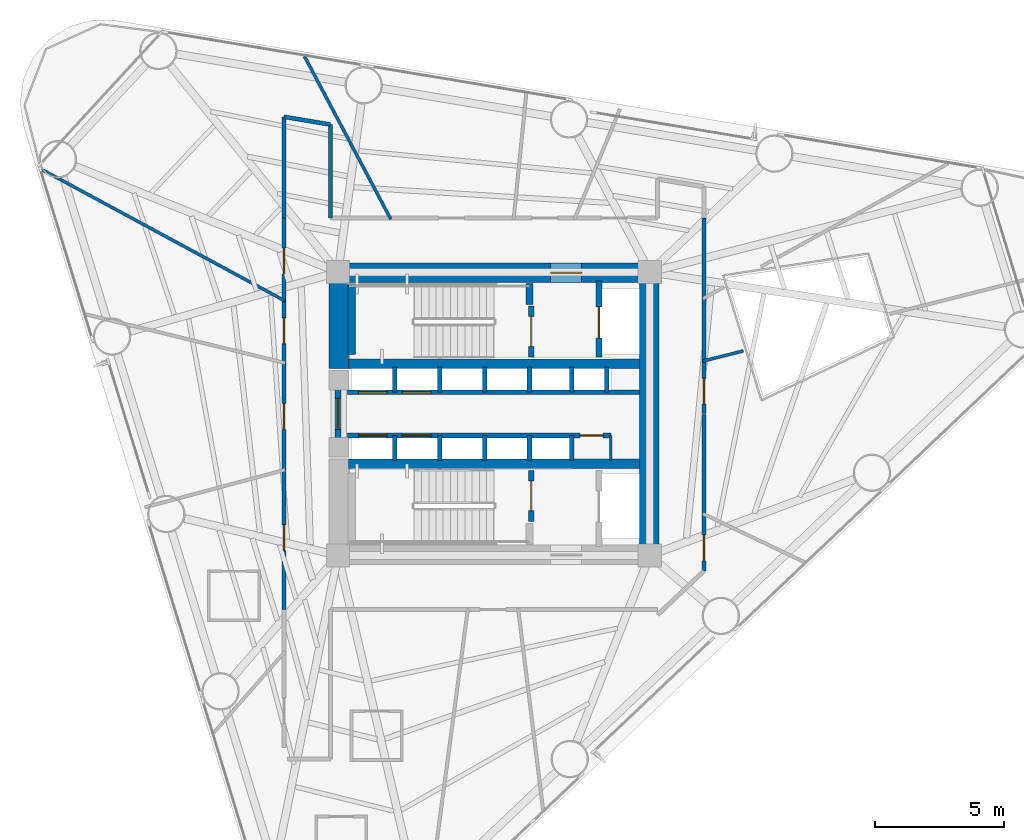
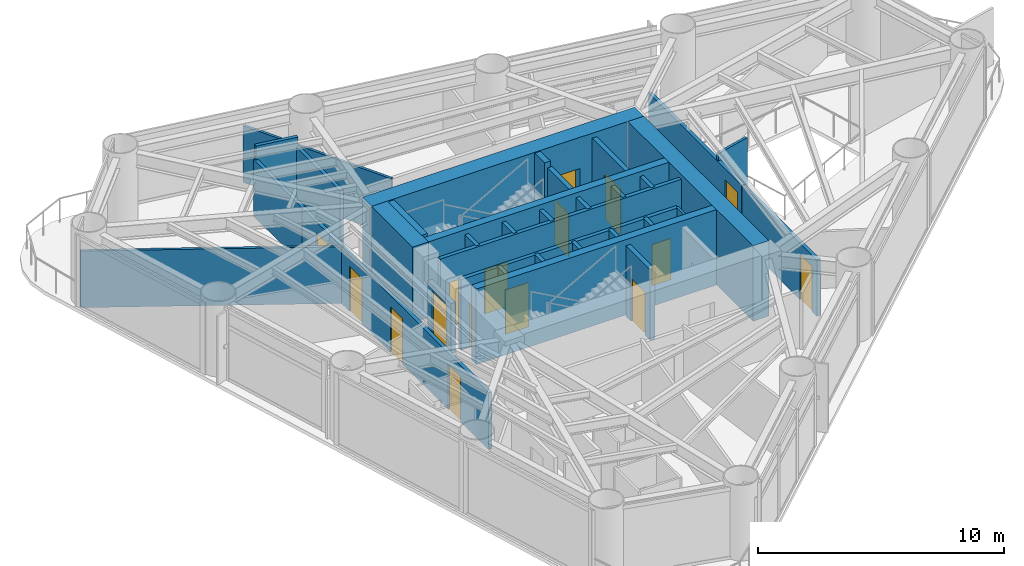
# One storey, part 6 of 10: 34 walls, 16 doors, 16 openings.
"""IFC4 building model written with IfcOpenShell, lengths in metres."""

from ifc_helpers import new_model, si_unit, direction, frame, frame_2d, origin, place, context, subcontext, project, spatial, rectangle, extrude, material, layer, layer_set, type_object, element, fill, save


model = new_model("IFC4")

# Units and contexts
model_context = context("Model", 3, precision=1e-05, world=origin(), true_north=direction((0.0, 1.0)))
body_context = subcontext(model_context, "Body", "Model", "MODEL_VIEW")
ifc_project = project(units=[si_unit("LENGTHUNIT", "METRE"), si_unit("AREAUNIT", "SQUARE_METRE"), si_unit("VOLUMEUNIT", "CUBIC_METRE"), si_unit("PLANEANGLEUNIT", "RADIAN"), si_unit("MASSUNIT", "GRAM", prefix="KILO")], contexts=[model_context])

# Site, building, storey
site_placement = place(None, origin())
site = spatial("IfcSite", under=ifc_project, at=site_placement, CompositionType="ELEMENT")
building_placement = place(site_placement, origin())
building = spatial("IfcBuilding", under=site, at=building_placement, Name="Yunling Apex Tower", CompositionType="ELEMENT")
storey_placement = place(building_placement, frame((0.0, 0.0, 116.14990234375)))
storey = spatial("IfcBuildingStorey", under=building, at=storey_placement, Name="L29", CompositionType="ELEMENT", Elevation=116.14990234375)

# Wall, opening, door
ifc_material_1 = material(Name="Concrete C60", Category="concrete")
ifc_layer_1 = layer(ifc_material_1, 0.75)
ifc_layer_set_1 = layer_set([ifc_layer_1], Name="Concrete C60")
wall_type_1 = type_object("IfcWallType", Name="WL-COR-1", PredefinedType="SHEAR", material=ifc_layer_set_1)
wall_1_placement = place(storey_placement, frame((-6.39990234375, 5.47509765625, 0.0), z_axis=(0.0, 0.0, 1.0), x_axis=(1.0, 0.0, 0.0)))
wall_1 = element("IfcWall", 1, at=wall_1_placement, inside=storey, type_object=wall_type_1, Name="L29 North Core Shear Wall", PredefinedType="SHEAR", context=body_context, shape_type="SweptSolid", body=[
    extrude(rectangle(XDim=12.7998046875, YDim=0.75, at=frame_2d((6.39990234375, 0.0))), origin(), (0.0, 0.0, 1.0), 3.75),
])
opening_1_placement = place(wall_1_placement, frame((8.60009765625, 0.0, 0.0)))
opening_1 = element("IfcOpeningElement", 2, at=opening_1_placement, cuts=wall_1, Name="Opening DR-FFL-1", PredefinedType="OPENING", context=body_context, shape_type="SweptSolid", body=[
    extrude(rectangle(XDim=1.199951171875, YDim=2.199951171875, at=frame_2d((0.60009765625, 1.10009765625))), frame((0.0, 0.385009765625, 0.0), z_axis=(0.0, -1.0, 0.0), x_axis=(1.0, 0.0, 0.0)), (0.0, 0.0, 1.0), 0.77001953125),
])
ifc_material_2 = material(Name="Steel Q355B", Category="steel")
door_type_1 = type_object("IfcDoorType", Name="DR-FFL-1", OperationType="NOTDEFINED", PredefinedType="DOOR", material=ifc_material_2)
door_1_placement = place(opening_1_placement, origin())
door_1 = element("IfcDoor", 3, at=door_1_placement, inside=storey, type_object=door_type_1, Name="L29 North Firefighting Lobby Door", OperationType="SINGLE_SWING_LEFT", OverallHeight=2.199951171875, OverallWidth=1.199951171875, PredefinedType="DOOR", context=body_context, shape_type="SweptSolid", body=[
    extrude(rectangle(XDim=1.199951171875, YDim=2.199951171875, at=frame_2d((0.60009765625, 1.10009765625))), frame((0.0, 0.02490234375, 0.0), z_axis=(0.0, -1.0, 0.0), x_axis=(1.0, 0.0, 0.0)), (0.0, 0.0, 1.0), 0.050048828125),
])
fill(opening_1, door_1)

# Walls
wall_2_placement = place(storey_placement, frame((6.02490234375, -5.10009765625, 0.0), z_axis=(0.0, 0.0, 1.0), x_axis=(0.0, 1.0, 0.0)))
element("IfcWall", 4, at=wall_2_placement, inside=storey, type_object=wall_type_1, Name="L29 East Core Shear Wall", PredefinedType="SHEAR", context=body_context, shape_type="SweptSolid", body=[
    extrude(rectangle(XDim=10.2001953125, YDim=0.75, at=frame_2d((5.10009765625, 0.0))), origin(), (0.0, 0.0, 1.0), 3.75),
])
wall_3_placement = place(storey_placement, frame((-6.02490234375, 1.75, 0.0), z_axis=(0.0, 0.0, 1.0), x_axis=(0.0, 1.0, 0.0)))
element("IfcWall", 5, at=wall_3_placement, inside=storey, type_object=wall_type_1, Name="L29 West-North Core Shear Wall", PredefinedType="SHEAR", context=body_context, shape_type="SweptSolid", body=[
    extrude(rectangle(XDim=3.35009765625, YDim=0.75, at=frame_2d((1.675048828125, 0.0))), origin(), (0.0, 0.0, 1.0), 3.75),
])
ifc_material_3 = material(Name="Concrete C40", Category="concrete")
ifc_layer_2 = layer(ifc_material_3, 0.360107421875)
ifc_layer_set_2 = layer_set([ifc_layer_2], Name="Concrete C40")
wall_type_2 = type_object("IfcWallType", Name="WL-COR-4", PredefinedType="SHEAR", material=ifc_layer_set_2)
for number, where, z_axis, x_axis, name in (
    (6, (-5.64990234375, 1.93994140625, 0.0), (0.0, 0.0, 1.0), (1.0, 0.0, 0.0), "L29 North Internal Core Shear Wall"),
    (7, (-5.64990234375, -1.93994140625, 0.0), (0.0, 0.0, 1.0), (1.0, 0.0, 0.0), "L29 South Internal Core Shear Wall"),
):
    element("IfcWall", number, at=place(storey_placement, frame(where, z_axis=z_axis, x_axis=x_axis)), inside=storey, type_object=wall_type_2, Name=name, PredefinedType="SHEAR", context=body_context, shape_type="SweptSolid", body=[
        extrude(rectangle(XDim=11.2998046875, YDim=0.360107421875, at=frame_2d((5.64990234375, 0.0))), origin(), (0.0, 0.0, 1.0), 3.75),
    ])
ifc_layer_3 = layer(ifc_material_3, 0.280029296875)
ifc_layer_set_3 = layer_set([ifc_layer_3], Name="Concrete C40")
wall_type_3 = type_object("IfcWallType", Name="WL-COR-8", PredefinedType="SHEAR", material=ifc_layer_set_3)
wall_4_placement = place(storey_placement, frame((-5.52001953125, 2.300048828125, 0.0), z_axis=(0.0, 0.0, 1.0), x_axis=(0.0, 1.0, 0.0)))
element("IfcWall", 8, at=wall_4_placement, inside=storey, type_object=wall_type_3, Name="L29 ST-1 West Landing Bearing Wall", PredefinedType="SHEAR", context=body_context, shape_type="SweptSolid", body=[
    extrude(rectangle(XDim=2.75, YDim=0.280029296875, at=frame_2d((1.375, 0.0))), origin(), (0.0, 0.0, 1.0), 3.75),
])
wall_5_placement = place(storey_placement, frame((1.3798828125, 4.25, 0.0), z_axis=(0.0, 0.0, 1.0), x_axis=(0.0, 1.0, 0.0)))
element("IfcWall", 9, at=wall_5_placement, inside=storey, type_object=wall_type_3, Name="L29 ST-1 East Landing Bearing Pier", PredefinedType="SHEAR", context=body_context, shape_type="SweptSolid", body=[
    extrude(rectangle(XDim=0.800048828125, YDim=0.280029296875, at=frame_2d((0.39990234375, 0.0))), origin(), (0.0, 0.0, 1.0), 3.75),
])

# Wall, openings, doors
ifc_material_4 = material(Name="Gypsum board acoustic partition")
ifc_layer_4 = layer(ifc_material_4, 0.159912109375)
ifc_layer_set_4 = layer_set([ifc_layer_4], Name="Gypsum board acoustic partition")
wall_type_4 = type_object("IfcWallType", Name="WL-PRT-1", PredefinedType="PARTITIONING", material=ifc_layer_set_4)
wall_6_placement = place(storey_placement, frame((-8.14990234375, -7.60009765625, 0.0), z_axis=(0.0, 0.0, 1.0), x_axis=(0.0, 1.0, 0.0)))
wall_6 = element("IfcWall", 10, at=wall_6_placement, inside=storey, type_object=wall_type_4, Name="WL-CORR-L29-03", PredefinedType="PARTITIONING", context=body_context, shape_type="SweptSolid", body=[
    extrude(rectangle(XDim=15.2001953125, YDim=0.159912109375, at=frame_2d((7.60009765625, 0.0))), origin(), (0.0, 0.0, 1.0), 2.815185546875),
])
opening_2_placement = place(wall_6_placement, frame((2.2900390625, 0.0, 0.0)))
opening_2 = element("IfcOpeningElement", 11, at=opening_2_placement, cuts=wall_6, Name="Opening DR-OFF-1", PredefinedType="OPENING", context=body_context, shape_type="SweptSolid", body=[
    extrude(rectangle(XDim=1.0, YDim=2.25, at=frame_2d((0.5, 1.125))), frame((0.0, 0.08984375, 0.0), z_axis=(0.0, -1.0, 0.0), x_axis=(1.0, 0.0, 0.0)), (0.0, 0.0, 1.0), 0.179931640625),
])
opening_3_placement = place(wall_6_placement, frame((7.000244140625, 0.0, 0.0)))
opening_3 = element("IfcOpeningElement", 12, at=opening_3_placement, cuts=wall_6, Name="Opening DR-OFF-1", PredefinedType="OPENING", context=body_context, shape_type="SweptSolid", body=[
    extrude(rectangle(XDim=1.0, YDim=2.25, at=frame_2d((0.5, 1.125))), frame((0.0, 0.08984375, 0.0), z_axis=(0.0, -1.0, 0.0), x_axis=(1.0, 0.0, 0.0)), (0.0, 0.0, 1.0), 0.179931640625),
])
opening_4_placement = place(wall_6_placement, frame((10.3251953125, 0.0, 0.0)))
opening_4 = element("IfcOpeningElement", 13, at=opening_4_placement, cuts=wall_6, Name="Opening DR-OFF-1", PredefinedType="OPENING", context=body_context, shape_type="SweptSolid", body=[
    extrude(rectangle(XDim=1.0, YDim=2.25, at=frame_2d((0.5, 1.125))), frame((0.0, 0.08984375, 0.0), z_axis=(0.0, -1.0, 0.0), x_axis=(1.0, 0.0, 0.0)), (0.0, 0.0, 1.0), 0.179931640625),
])
opening_5_placement = place(wall_6_placement, frame((13.034912109375, 0.0, 0.0)))
opening_5 = element("IfcOpeningElement", 14, at=opening_5_placement, cuts=wall_6, Name="Opening DR-OFF-1", PredefinedType="OPENING", context=body_context, shape_type="SweptSolid", body=[
    extrude(rectangle(XDim=1.0, YDim=2.25, at=frame_2d((0.5, 1.125))), frame((0.0, 0.08984375, 0.0), z_axis=(0.0, -1.0, 0.0), x_axis=(1.0, 0.0, 0.0)), (0.0, 0.0, 1.0), 0.179931640625),
])
ifc_material_5 = material(Name="Bronze anodised aluminium", Category="aluminium")
door_type_2 = type_object("IfcDoorType", Name="DR-OFF-1", OperationType="NOTDEFINED", PredefinedType="DOOR", material=ifc_material_5)
door_2_placement = place(opening_2_placement, origin())
door_2 = element("IfcDoor", 15, at=door_2_placement, inside=storey, type_object=door_type_2, Name="L29 Office Suite Door", OperationType="SINGLE_SWING_RIGHT", OverallHeight=2.25, OverallWidth=1.0, PredefinedType="DOOR", context=body_context, shape_type="SweptSolid", body=[
    extrude(rectangle(XDim=1.0, YDim=2.25, at=frame_2d((0.5, 1.125))), frame((0.0, 0.02490234375, 0.0), z_axis=(0.0, -1.0, 0.0), x_axis=(1.0, 0.0, 0.0)), (0.0, 0.0, 1.0), 0.050048828125),
])
fill(opening_2, door_2)
door_3_placement = place(opening_3_placement, origin())
door_3 = element("IfcDoor", 16, at=door_3_placement, inside=storey, type_object=door_type_2, Name="L29 Conference Meeting Room Door", OperationType="SINGLE_SWING_LEFT", OverallHeight=2.25, OverallWidth=1.0, PredefinedType="DOOR", context=body_context, shape_type="SweptSolid", body=[
    extrude(rectangle(XDim=1.0, YDim=2.25, at=frame_2d((0.5, 1.125))), frame((0.0, 0.02490234375, 0.0), z_axis=(0.0, -1.0, 0.0), x_axis=(1.0, 0.0, 0.0)), (0.0, 0.0, 1.0), 0.050048828125),
])
fill(opening_3, door_3)
door_4_placement = place(opening_4_placement, origin())
door_4 = element("IfcDoor", 17, at=door_4_placement, inside=storey, type_object=door_type_2, Name="L29 Document Archive Store Door", OperationType="SINGLE_SWING_RIGHT", OverallHeight=2.25, OverallWidth=1.0, PredefinedType="DOOR", context=body_context, shape_type="SweptSolid", body=[
    extrude(rectangle(XDim=1.0, YDim=2.25, at=frame_2d((0.5, 1.125))), frame((0.0, 0.02490234375, 0.0), z_axis=(0.0, -1.0, 0.0), x_axis=(1.0, 0.0, 0.0)), (0.0, 0.0, 1.0), 0.050048828125),
])
fill(opening_4, door_4)
door_5_placement = place(opening_5_placement, origin())
door_5 = element("IfcDoor", 18, at=door_5_placement, inside=storey, type_object=door_type_2, Name="L29 Document Archive Store Door", OperationType="SINGLE_SWING_LEFT", OverallHeight=2.25, OverallWidth=1.0, PredefinedType="DOOR", context=body_context, shape_type="SweptSolid", body=[
    extrude(rectangle(XDim=1.0, YDim=2.25, at=frame_2d((0.5, 1.125))), frame((0.0, 0.02490234375, 0.0), z_axis=(0.0, -1.0, 0.0), x_axis=(1.0, 0.0, 0.0)), (0.0, 0.0, 1.0), 0.050048828125),
])
fill(opening_5, door_5)

# Walls
wall_7_placement = place(storey_placement, frame((-8.14990234375, 7.60009765625, 0.0), z_axis=(0.0, 0.0, 1.0), x_axis=(0.0, 1.0, 0.0)))
element("IfcWall", 19, at=wall_7_placement, inside=storey, type_object=wall_type_4, Name="WL-CORR-L29-04", PredefinedType="PARTITIONING", context=body_context, shape_type="SweptSolid", body=[
    extrude(rectangle(XDim=3.928955078125, YDim=0.159912109375, at=frame_2d((1.96435546875, 0.0))), origin(), (0.0, 0.0, 1.0), 2.815185546875),
])
wall_8_placement = place(storey_placement, frame((-8.14990234375, 11.529052734375, 0.0), z_axis=(0.0, 0.0, 1.0), x_axis=(0.986408385389, -0.164312194419, 0.0)))
element("IfcWall", 20, at=wall_8_placement, inside=storey, type_object=wall_type_4, Name="WL-CORR-L29-05", PredefinedType="PARTITIONING", context=body_context, shape_type="SweptSolid", body=[
    extrude(rectangle(XDim=1.82470703125, YDim=0.159912109375, at=frame_2d((0.912353515625, 0.0))), origin(), (0.0, 0.0, 1.0), 3.510009765625),
])
wall_9_placement = place(storey_placement, frame((-6.35009765625, 11.229248046875, 0.0), z_axis=(0.0, 0.0, 1.0), x_axis=(0.0, -1.0, 0.0)))
element("IfcWall", 21, at=wall_9_placement, inside=storey, type_object=wall_type_4, Name="WL-CORR-L29-06", PredefinedType="PARTITIONING", context=body_context, shape_type="SweptSolid", body=[
    extrude(rectangle(XDim=3.629150390625, YDim=0.159912109375, at=frame_2d((1.814453125, 0.0))), origin(), (0.0, 0.0, 1.0), 3.01513671875),
])

# Wall, opening, door
wall_10_placement = place(storey_placement, frame((8.14990234375, 7.60009765625, 0.0), z_axis=(0.0, 0.0, 1.0), x_axis=(0.0, -1.0, 0.0)))
wall_10 = element("IfcWall", 22, at=wall_10_placement, inside=storey, type_object=wall_type_4, Name="WL-CORR-L29-11", PredefinedType="PARTITIONING", context=body_context, shape_type="SweptSolid", body=[
    extrude(rectangle(XDim=7.580078125, YDim=0.159912109375, at=frame_2d((3.7900390625, 0.0))), origin(), (0.0, 0.0, 1.0), 2.815185546875),
])
opening_6_placement = place(wall_10_placement, frame((6.228515625, 0.0, 0.0)))
opening_6 = element("IfcOpeningElement", 23, at=opening_6_placement, cuts=wall_10, Name="Opening DR-OFF-1", PredefinedType="OPENING", context=body_context, shape_type="SweptSolid", body=[
    extrude(rectangle(XDim=1.0, YDim=2.25, at=frame_2d((0.5, 1.125))), frame((0.0, 0.08984375, 0.0), z_axis=(0.0, -1.0, 0.0), x_axis=(1.0, 0.0, 0.0)), (0.0, 0.0, 1.0), 0.179931640625),
])
door_6_placement = place(opening_6_placement, origin())
door_6 = element("IfcDoor", 24, at=door_6_placement, inside=storey, type_object=door_type_2, Name="L29 Conference Meeting Room Door", OperationType="SINGLE_SWING_LEFT", OverallHeight=2.25, OverallWidth=1.0, PredefinedType="DOOR", context=body_context, shape_type="SweptSolid", body=[
    extrude(rectangle(XDim=1.0, YDim=2.25, at=frame_2d((0.5, 1.125))), frame((0.0, 0.02490234375, 0.0), z_axis=(0.0, -1.0, 0.0), x_axis=(1.0, 0.0, 0.0)), (0.0, 0.0, 1.0), 0.050048828125),
])
fill(opening_6, door_6)

wall_11_placement = place(storey_placement, frame((8.14990234375, -0.02001953125, 0.0), z_axis=(0.0, 0.0, 1.0), x_axis=(0.0, -1.0, 0.0)))
wall_11 = element("IfcWall", 25, at=wall_11_placement, inside=storey, type_object=wall_type_4, Name="WL-CORR-L29-12", PredefinedType="PARTITIONING", context=body_context, shape_type="SweptSolid", body=[
    extrude(rectangle(XDim=6.078857421875, YDim=0.159912109375, at=frame_2d((3.03955078125, 0.0))), origin(), (0.0, 0.0, 1.0), 2.815185546875),
])
opening_7_placement = place(wall_11_placement, frame((4.6875, 0.0, 0.0)))
opening_7 = element("IfcOpeningElement", 26, at=opening_7_placement, cuts=wall_11, Name="Opening DR-OFF-1", PredefinedType="OPENING", context=body_context, shape_type="SweptSolid", body=[
    extrude(rectangle(XDim=1.0, YDim=2.25, at=frame_2d((0.5, 1.125))), frame((0.0, 0.08984375, 0.0), z_axis=(0.0, -1.0, 0.0), x_axis=(1.0, 0.0, 0.0)), (0.0, 0.0, 1.0), 0.179931640625),
])
door_7_placement = place(opening_7_placement, origin())
door_7 = element("IfcDoor", 27, at=door_7_placement, inside=storey, type_object=door_type_2, Name="L29 Document Archive Store Door", OperationType="SINGLE_SWING_RIGHT", OverallHeight=2.25, OverallWidth=1.0, PredefinedType="DOOR", context=body_context, shape_type="SweptSolid", body=[
    extrude(rectangle(XDim=1.0, YDim=2.25, at=frame_2d((0.5, 1.125))), frame((0.0, 0.02490234375, 0.0), z_axis=(0.0, -1.0, 0.0), x_axis=(1.0, 0.0, 0.0)), (0.0, 0.0, 1.0), 0.050048828125),
])
fill(opening_7, door_7)

# Walls
ifc_layer_5 = layer(ifc_material_4, 0.1201171875)
ifc_layer_set_5 = layer_set([ifc_layer_5], Name="Gypsum board acoustic partition")
wall_type_5 = type_object("IfcWallType", Name="WL-PRT-3", PredefinedType="PARTITIONING", material=ifc_layer_set_5)
wall_12_placement = place(storey_placement, frame((8.110107421875, 2.045166015625, 0.0), z_axis=(0.0, 0.0, 1.0), x_axis=(0.969634535422, 0.244558515936, 0.0)))
element("IfcWall", 28, at=wall_12_placement, inside=storey, type_object=wall_type_5, Name="WL-RAD-L29-06", PredefinedType="PARTITIONING", context=body_context, shape_type="SweptSolid", body=[
    extrude(rectangle(XDim=1.6181640625, YDim=0.1201171875, at=frame_2d((0.80908203125, 0.0))), origin(), (0.0, 0.0, 1.0), 3.175048828125),
])
wall_13_placement = place(storey_placement, frame((-4.006591796875, 7.56005859375, 0.0), z_axis=(0.0, 0.0, 1.0), x_axis=(-0.468285095747, 0.883577426772, 0.0)))
element("IfcWall", 29, at=wall_13_placement, inside=storey, type_object=wall_type_5, Name="WL-RAD-L29-12", PredefinedType="PARTITIONING", context=body_context, shape_type="SweptSolid", body=[
    extrude(rectangle(XDim=7.140869140625, YDim=0.1201171875, at=frame_2d((3.5703125, 0.0))), origin(), (0.0, 0.0, 1.0), 2.815185546875),
])
wall_14_placement = place(storey_placement, frame((-8.110107421875, 4.382080078125, 0.0), z_axis=(0.0, 0.0, 1.0), x_axis=(-0.879765097161, 0.47540863877, 0.0)))
element("IfcWall", 30, at=wall_14_placement, inside=storey, type_object=wall_type_5, Name="WL-RAD-L29-13", PredefinedType="PARTITIONING", context=body_context, shape_type="SweptSolid", body=[
    extrude(rectangle(XDim=10.7412109375, YDim=0.1201171875, at=frame_2d((5.37060546875, 0.0))), origin(), (0.0, 0.0, 1.0), 2.815185546875),
])
ifc_layer_6 = layer(ifc_material_4, 0.10009765625)
ifc_layer_set_6 = layer_set([ifc_layer_6], Name="Gypsum board acoustic partition")
wall_type_6 = type_object("IfcWallType", Name="WL-PRT-4", PredefinedType="PARTITIONING", material=ifc_layer_set_6)
wall_15_placement = place(storey_placement, frame((4.5400390625, -1.820068359375, 0.0), z_axis=(0.0, 0.0, 1.0), x_axis=(0.0, 1.0, 0.0)))
element("IfcWall", 31, at=wall_15_placement, inside=storey, type_object=wall_type_6, Name="WL-KASE-E-L29", PredefinedType="PARTITIONING", context=body_context, shape_type="SweptSolid", body=[
    extrude(rectangle(XDim=0.97998046875, YDim=0.10009765625, at=frame_2d((0.489990234375, 0.0))), origin(), (0.0, 0.0, 1.0), 3.510009765625),
])

# Wall, opening, door
ifc_material_6 = material(Name="Autoclaved aerated concrete masonry", Category="masonry")
ifc_layer_7 = layer(ifc_material_6, 0.219970703125)
ifc_layer_set_7 = layer_set([ifc_layer_7], Name="Autoclaved aerated concrete masonry")
wall_type_7 = type_object("IfcWallType", Name="WL-SHF-1", PredefinedType="PLUMBINGWALL", material=ifc_layer_set_7)
wall_16_placement = place(storey_placement, frame((-6.050048828125, -0.949951171875, 0.0), z_axis=(0.0, 0.0, 1.0), x_axis=(0.0, 1.0, 0.0)))
wall_16 = element("IfcWall", 32, at=wall_16_placement, inside=storey, type_object=wall_type_7, Name="WL-COR-WPORT-L29", PredefinedType="PLUMBINGWALL", context=body_context, shape_type="SweptSolid", body=[
    extrude(rectangle(XDim=1.89990234375, YDim=0.219970703125, at=frame_2d((0.949951171875, 0.0))), origin(), (0.0, 0.0, 1.0), 2.489990234375),
])
opening_8_placement = place(wall_16_placement, frame((0.35009765625, 0.0, 0.0)))
opening_8 = element("IfcOpeningElement", 33, at=opening_8_placement, cuts=wall_16, Name="Opening DR-FFL-1", PredefinedType="OPENING", context=body_context, shape_type="SweptSolid", body=[
    extrude(rectangle(XDim=1.199951171875, YDim=2.199951171875, at=frame_2d((0.60009765625, 1.10009765625))), frame((0.0, 0.1201171875, 0.0), z_axis=(0.0, -1.0, 0.0), x_axis=(1.0, 0.0, 0.0)), (0.0, 0.0, 1.0), 0.239990234375),
])
door_8_placement = place(opening_8_placement, origin())
door_8 = element("IfcDoor", 34, at=door_8_placement, inside=storey, type_object=door_type_1, Name="L29 Passenger Lift Lobby Entrance Door", OperationType="SINGLE_SWING_LEFT", OverallHeight=2.199951171875, OverallWidth=1.199951171875, PredefinedType="DOOR", context=body_context, shape_type="SweptSolid", body=[
    extrude(rectangle(XDim=1.199951171875, YDim=2.199951171875, at=frame_2d((0.60009765625, 1.10009765625))), frame((0.0, 0.02490234375, 0.0), z_axis=(0.0, -1.0, 0.0), x_axis=(1.0, 0.0, 0.0)), (0.0, 0.0, 1.0), 0.050048828125),
])
fill(opening_8, door_8)

wall_17_placement = place(storey_placement, frame((1.449951171875, 2.199951171875, 0.0), z_axis=(0.0, 0.0, 1.0), x_axis=(0.0, 1.0, 0.0)))
wall_17 = element("IfcWall", 35, at=wall_17_placement, inside=storey, type_object=wall_type_7, Name="WL-ST1-E-L29", PredefinedType="PLUMBINGWALL", context=body_context, shape_type="SweptSolid", body=[
    extrude(rectangle(XDim=1.97998046875, YDim=0.219970703125, at=frame_2d((0.989990234375, 0.0))), origin(), (0.0, 0.0, 1.0), 3.510009765625),
])
opening_9_placement = place(wall_17_placement, frame((0.419921875, 0.0, 0.0)))
opening_9 = element("IfcOpeningElement", 36, at=opening_9_placement, cuts=wall_17, Name="Opening DR-ST-1", PredefinedType="OPENING", context=body_context, shape_type="SweptSolid", body=[
    extrude(rectangle(XDim=1.14990234375, YDim=2.14990234375, at=frame_2d((0.574951171875, 1.074951171875))), frame((0.0, 0.1201171875, 0.0), z_axis=(0.0, -1.0, 0.0), x_axis=(1.0, 0.0, 0.0)), (0.0, 0.0, 1.0), 0.239990234375),
])
door_type_3 = type_object("IfcDoorType", Name="DR-ST-1", OperationType="NOTDEFINED", PredefinedType="DOOR", material=ifc_material_2)
door_9_placement = place(opening_9_placement, origin())
door_9 = element("IfcDoor", 37, at=door_9_placement, inside=storey, type_object=door_type_3, Name="L29 Stair ST-1 Fire Door", OperationType="SINGLE_SWING_LEFT", OverallHeight=2.14990234375, OverallWidth=1.14990234375, PredefinedType="DOOR", context=body_context, shape_type="SweptSolid", body=[
    extrude(rectangle(XDim=1.14990234375, YDim=2.14990234375, at=frame_2d((0.574951171875, 1.074951171875))), frame((0.0, 0.02490234375, 0.0), z_axis=(0.0, -1.0, 0.0), x_axis=(1.0, 0.0, 0.0)), (0.0, 0.0, 1.0), 0.050048828125),
])
fill(opening_9, door_9)

wall_18_placement = place(storey_placement, frame((4.080078125, 2.199951171875, 0.0), z_axis=(0.0, 0.0, 1.0), x_axis=(0.0, 1.0, 0.0)))
wall_18 = element("IfcWall", 38, at=wall_18_placement, inside=storey, type_object=wall_type_7, Name="WL-FFL1-W-L29", PredefinedType="PLUMBINGWALL", context=body_context, shape_type="SweptSolid", body=[
    extrude(rectangle(XDim=2.949951171875, YDim=0.219970703125, at=frame_2d((1.47509765625, 0.0))), origin(), (0.0, 0.0, 1.0), 3.510009765625),
])
opening_10_placement = place(wall_18_placement, frame((0.75, 0.0, 0.0)))
opening_10 = element("IfcOpeningElement", 39, at=opening_10_placement, cuts=wall_18, Name="Opening LD-FFL-1", PredefinedType="OPENING", context=body_context, shape_type="SweptSolid", body=[
    extrude(rectangle(XDim=1.199951171875, YDim=2.25, at=frame_2d((0.60009765625, 1.125))), frame((0.0, 0.1201171875, 0.0), z_axis=(0.0, -1.0, 0.0), x_axis=(1.0, 0.0, 0.0)), (0.0, 0.0, 1.0), 0.239990234375),
])
door_type_4 = type_object("IfcDoorType", Name="LD-FFL-1", OperationType="DOUBLE_DOOR_SLIDING", PredefinedType="DOOR", material=ifc_material_2)
door_10_placement = place(opening_10_placement, origin())
door_10 = element("IfcDoor", 40, at=door_10_placement, inside=storey, type_object=door_type_4, Name="L29 Lift FFL-1 Landing Door", OperationType="DOUBLE_DOOR_SLIDING", OverallHeight=2.25, OverallWidth=1.199951171875, PredefinedType="DOOR", context=body_context, shape_type="SweptSolid", body=[
    extrude(rectangle(XDim=1.199951171875, YDim=2.25, at=frame_2d((0.60009765625, 1.125))), frame((0.0, 0.02490234375, 0.0), z_axis=(0.0, -1.0, 0.0), x_axis=(1.0, 0.0, 0.0)), (0.0, 0.0, 1.0), 0.050048828125),
])
fill(opening_10, door_10)

wall_19_placement = place(storey_placement, frame((1.449951171875, -4.179931640625, 0.0), z_axis=(0.0, 0.0, 1.0), x_axis=(0.0, 1.0, 0.0)))
wall_19 = element("IfcWall", 41, at=wall_19_placement, inside=storey, type_object=wall_type_7, Name="WL-ST2-E-L29", PredefinedType="PLUMBINGWALL", context=body_context, shape_type="SweptSolid", body=[
    extrude(rectangle(XDim=1.97998046875, YDim=0.219970703125, at=frame_2d((0.989990234375, 0.0))), origin(), (0.0, 0.0, 1.0), 3.510009765625),
])
opening_11_placement = place(wall_19_placement, frame((0.419921875, 0.0, 0.0)))
opening_11 = element("IfcOpeningElement", 42, at=opening_11_placement, cuts=wall_19, Name="Opening DR-ST-1", PredefinedType="OPENING", context=body_context, shape_type="SweptSolid", body=[
    extrude(rectangle(XDim=1.14990234375, YDim=2.14990234375, at=frame_2d((0.574951171875, 1.074951171875))), frame((0.0, 0.1201171875, 0.0), z_axis=(0.0, -1.0, 0.0), x_axis=(1.0, 0.0, 0.0)), (0.0, 0.0, 1.0), 0.239990234375),
])
door_11_placement = place(opening_11_placement, origin())
door_11 = element("IfcDoor", 43, at=door_11_placement, inside=storey, type_object=door_type_3, Name="L29 Stair ST-2 Fire Door", OperationType="SINGLE_SWING_RIGHT", OverallHeight=2.14990234375, OverallWidth=1.14990234375, PredefinedType="DOOR", context=body_context, shape_type="SweptSolid", body=[
    extrude(rectangle(XDim=1.14990234375, YDim=2.14990234375, at=frame_2d((0.574951171875, 1.074951171875))), frame((0.0, 0.02490234375, 0.0), z_axis=(0.0, -1.0, 0.0), x_axis=(1.0, 0.0, 0.0)), (0.0, 0.0, 1.0), 0.050048828125),
])
fill(opening_11, door_11)

# Walls
ifc_layer_8 = layer(ifc_material_6, 0.179931640625)
ifc_layer_set_8 = layer_set([ifc_layer_8], Name="Autoclaved aerated concrete masonry")
wall_type_8 = type_object("IfcWallType", Name="WL-SHF-2", PredefinedType="PLUMBINGWALL", material=ifc_layer_set_8)
for number, where, z_axis, x_axis, name in (
    (44, (-3.85009765625, 0.840087890625, 0.0), (0.0, 0.0, 1.0), (0.0, 1.0, 0.0), "WL-DIV-L12-L29"),
    (45, (-3.85009765625, -1.820068359375, 0.0), (0.0, 0.0, 1.0), (0.0, 1.0, 0.0), "WL-DIV-L34-L29"),
    (46, (-2.10009765625, 0.840087890625, 0.0), (0.0, 0.0, 1.0), (0.0, 1.0, 0.0), "WL-BNK-LM-N-L29"),
    (47, (-2.10009765625, -1.820068359375, 0.0), (0.0, 0.0, 1.0), (0.0, 1.0, 0.0), "WL-BNK-LM-S-L29"),
    (48, (-0.35009765625, 0.840087890625, 0.0), (0.0, 0.0, 1.0), (0.0, 1.0, 0.0), "WL-DIV-M12-L29"),
    (49, (-0.35009765625, -1.820068359375, 0.0), (0.0, 0.0, 1.0), (0.0, 1.0, 0.0), "WL-DIV-M34-L29"),
    (50, (1.3798828125, 0.840087890625, 0.0), (0.0, 0.0, 1.0), (0.0, 1.0, 0.0), "WL-BNK-MH-N-L29"),
    (51, (1.3798828125, -1.820068359375, 0.0), (0.0, 0.0, 1.0), (0.0, 1.0, 0.0), "WL-BNK-MH-S-L29"),
    (52, (3.02001953125, 0.840087890625, 0.0), (0.0, 0.0, 1.0), (0.0, 1.0, 0.0), "WL-DIV-H13-L29"),
    (53, (4.3798828125, 0.840087890625, 0.0), (0.0, 0.0, 1.0), (0.0, 1.0, 0.0), "WL-END-H3E-L29"),
    (54, (3.02001953125, -1.820068359375, 0.0), (0.0, 0.0, 1.0), (0.0, 1.0, 0.0), "WL-END-H2E-L29"),
):
    element("IfcWall", number, at=place(storey_placement, frame(where, z_axis=z_axis, x_axis=x_axis)), inside=storey, type_object=wall_type_8, Name=name, PredefinedType="PLUMBINGWALL", context=body_context, shape_type="SweptSolid", body=[
        extrude(rectangle(XDim=0.97998046875, YDim=0.179931640625, at=frame_2d((0.489990234375, 0.0))), origin(), (0.0, 0.0, 1.0), 3.510009765625),
    ])

# Wall, openings, doors
wall_20_placement = place(storey_placement, frame((-5.679931640625, 0.840087890625, 0.0), z_axis=(0.0, 0.0, 1.0), x_axis=(1.0, 0.0, 0.0)))
wall_20 = element("IfcWall", 55, at=wall_20_placement, inside=storey, type_object=wall_type_8, Name="WL-LOB-N-L29", PredefinedType="PLUMBINGWALL", context=body_context, shape_type="SweptSolid", body=[
    extrude(rectangle(XDim=11.329833984375, YDim=0.179931640625, at=frame_2d((5.6650390625, 0.0))), origin(), (0.0, 0.0, 1.0), 3.510009765625),
])
opening_12_placement = place(wall_20_placement, frame((0.429931640625, 0.0, 0.0)))
opening_12 = element("IfcOpeningElement", 56, at=opening_12_placement, cuts=wall_20, Name="Opening LD-PAS-1", PredefinedType="OPENING", context=body_context, shape_type="SweptSolid", body=[
    extrude(rectangle(XDim=1.10009765625, YDim=2.199951171875, at=frame_2d((0.550048828125, 1.10009765625))), frame((0.0, 0.10009765625, 0.0), z_axis=(0.0, -1.0, 0.0), x_axis=(1.0, 0.0, 0.0)), (0.0, 0.0, 1.0), 0.199951171875),
])
opening_13_placement = place(wall_20_placement, frame((2.1298828125, 0.0, 0.0)))
opening_13 = element("IfcOpeningElement", 57, at=opening_13_placement, cuts=wall_20, Name="Opening LD-PAS-1", PredefinedType="OPENING", context=body_context, shape_type="SweptSolid", body=[
    extrude(rectangle(XDim=1.10009765625, YDim=2.199951171875, at=frame_2d((0.550048828125, 1.10009765625))), frame((0.0, 0.10009765625, 0.0), z_axis=(0.0, -1.0, 0.0), x_axis=(1.0, 0.0, 0.0)), (0.0, 0.0, 1.0), 0.199951171875),
])
ifc_material_7 = material(Name="Silver anodised aluminium", Category="aluminium")
door_type_5 = type_object("IfcDoorType", Name="LD-PAS-1", OperationType="DOUBLE_DOOR_SLIDING", PredefinedType="DOOR", material=ifc_material_7)
door_12_placement = place(opening_12_placement, origin())
door_12 = element("IfcDoor", 58, at=door_12_placement, inside=storey, type_object=door_type_5, Name="L29 Lift PL-L1 Landing Door", OperationType="DOUBLE_DOOR_SLIDING", OverallHeight=2.199951171875, OverallWidth=1.10009765625, PredefinedType="DOOR", context=body_context, shape_type="SweptSolid", body=[
    extrude(rectangle(XDim=1.10009765625, YDim=2.199951171875, at=frame_2d((0.550048828125, 1.10009765625))), frame((0.0, 0.02490234375, 0.0), z_axis=(0.0, -1.0, 0.0), x_axis=(1.0, 0.0, 0.0)), (0.0, 0.0, 1.0), 0.050048828125),
])
fill(opening_12, door_12)
door_13_placement = place(opening_13_placement, origin())
door_13 = element("IfcDoor", 59, at=door_13_placement, inside=storey, type_object=door_type_5, Name="L29 Lift PL-L2 Landing Door", OperationType="DOUBLE_DOOR_SLIDING", OverallHeight=2.199951171875, OverallWidth=1.10009765625, PredefinedType="DOOR", context=body_context, shape_type="SweptSolid", body=[
    extrude(rectangle(XDim=1.10009765625, YDim=2.199951171875, at=frame_2d((0.550048828125, 1.10009765625))), frame((0.0, 0.02490234375, 0.0), z_axis=(0.0, -1.0, 0.0), x_axis=(1.0, 0.0, 0.0)), (0.0, 0.0, 1.0), 0.050048828125),
])
fill(opening_13, door_13)

wall_21_placement = place(storey_placement, frame((-5.679931640625, -0.840087890625, 0.0), z_axis=(0.0, 0.0, 1.0), x_axis=(1.0, 0.0, 0.0)))
wall_21 = element("IfcWall", 60, at=wall_21_placement, inside=storey, type_object=wall_type_8, Name="WL-LOB-S-L29", PredefinedType="PLUMBINGWALL", context=body_context, shape_type="SweptSolid", body=[
    extrude(rectangle(XDim=10.219970703125, YDim=0.179931640625, at=frame_2d((5.10986328125, 0.0))), origin(), (0.0, 0.0, 1.0), 3.510009765625),
])
opening_14_placement = place(wall_21_placement, frame((0.429931640625, 0.0, 0.0)))
opening_14 = element("IfcOpeningElement", 61, at=opening_14_placement, cuts=wall_21, Name="Opening LD-PAS-1", PredefinedType="OPENING", context=body_context, shape_type="SweptSolid", body=[
    extrude(rectangle(XDim=1.10009765625, YDim=2.199951171875, at=frame_2d((0.550048828125, 1.10009765625))), frame((0.0, 0.10009765625, 0.0), z_axis=(0.0, -1.0, 0.0), x_axis=(1.0, 0.0, 0.0)), (0.0, 0.0, 1.0), 0.199951171875),
])
opening_15_placement = place(wall_21_placement, frame((2.1298828125, 0.0, 0.0)))
opening_15 = element("IfcOpeningElement", 62, at=opening_15_placement, cuts=wall_21, Name="Opening LD-PAS-1", PredefinedType="OPENING", context=body_context, shape_type="SweptSolid", body=[
    extrude(rectangle(XDim=1.10009765625, YDim=2.199951171875, at=frame_2d((0.550048828125, 1.10009765625))), frame((0.0, 0.10009765625, 0.0), z_axis=(0.0, -1.0, 0.0), x_axis=(1.0, 0.0, 0.0)), (0.0, 0.0, 1.0), 0.199951171875),
])
opening_16_placement = place(wall_21_placement, frame((9.02001953125, 0.0, 0.0)))
opening_16 = element("IfcOpeningElement", 63, at=opening_16_placement, cuts=wall_21, Name="Opening DR-SHF-1", PredefinedType="OPENING", context=body_context, shape_type="SweptSolid", body=[
    extrude(rectangle(XDim=0.89990234375, YDim=2.050048828125, at=frame_2d((0.449951171875, 1.02490234375))), frame((0.0, 0.10009765625, 0.0), z_axis=(0.0, -1.0, 0.0), x_axis=(1.0, 0.0, 0.0)), (0.0, 0.0, 1.0), 0.199951171875),
])
door_type_6 = type_object("IfcDoorType", Name="DR-SHF-1", OperationType="NOTDEFINED", PredefinedType="DOOR", material=ifc_material_2)
door_14_placement = place(opening_16_placement, origin())
door_14 = element("IfcDoor", 64, at=door_14_placement, inside=storey, type_object=door_type_6, Name="L29 Core Electrical Room Door", OperationType="SINGLE_SWING_LEFT", OverallHeight=2.050048828125, OverallWidth=0.89990234375, PredefinedType="DOOR", context=body_context, shape_type="SweptSolid", body=[
    extrude(rectangle(XDim=0.89990234375, YDim=2.050048828125, at=frame_2d((0.449951171875, 1.02490234375))), frame((0.0, 0.02490234375, 0.0), z_axis=(0.0, -1.0, 0.0), x_axis=(1.0, 0.0, 0.0)), (0.0, 0.0, 1.0), 0.050048828125),
])
fill(opening_16, door_14)
door_15_placement = place(opening_14_placement, origin())
door_15 = element("IfcDoor", 65, at=door_15_placement, inside=storey, type_object=door_type_5, Name="L29 Lift PL-L3 Landing Door", OperationType="DOUBLE_DOOR_SLIDING", OverallHeight=2.199951171875, OverallWidth=1.10009765625, PredefinedType="DOOR", context=body_context, shape_type="SweptSolid", body=[
    extrude(rectangle(XDim=1.10009765625, YDim=2.199951171875, at=frame_2d((0.550048828125, 1.10009765625))), frame((0.0, 0.02490234375, 0.0), z_axis=(0.0, -1.0, 0.0), x_axis=(1.0, 0.0, 0.0)), (0.0, 0.0, 1.0), 0.050048828125),
])
fill(opening_14, door_15)
door_16_placement = place(opening_15_placement, origin())
door_16 = element("IfcDoor", 66, at=door_16_placement, inside=storey, type_object=door_type_5, Name="L29 Lift PL-L4 Landing Door", OperationType="DOUBLE_DOOR_SLIDING", OverallHeight=2.199951171875, OverallWidth=1.10009765625, PredefinedType="DOOR", context=body_context, shape_type="SweptSolid", body=[
    extrude(rectangle(XDim=1.10009765625, YDim=2.199951171875, at=frame_2d((0.550048828125, 1.10009765625))), frame((0.0, 0.02490234375, 0.0), z_axis=(0.0, -1.0, 0.0), x_axis=(1.0, 0.0, 0.0)), (0.0, 0.0, 1.0), 0.050048828125),
])
fill(opening_15, door_16)

save(model, "model.ifc")
